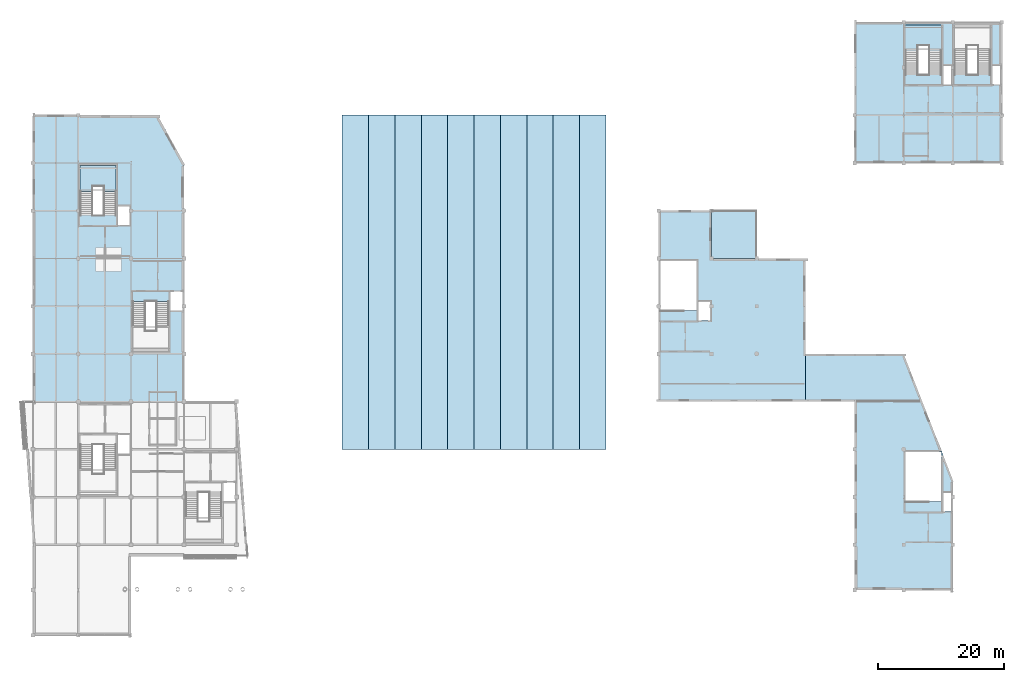
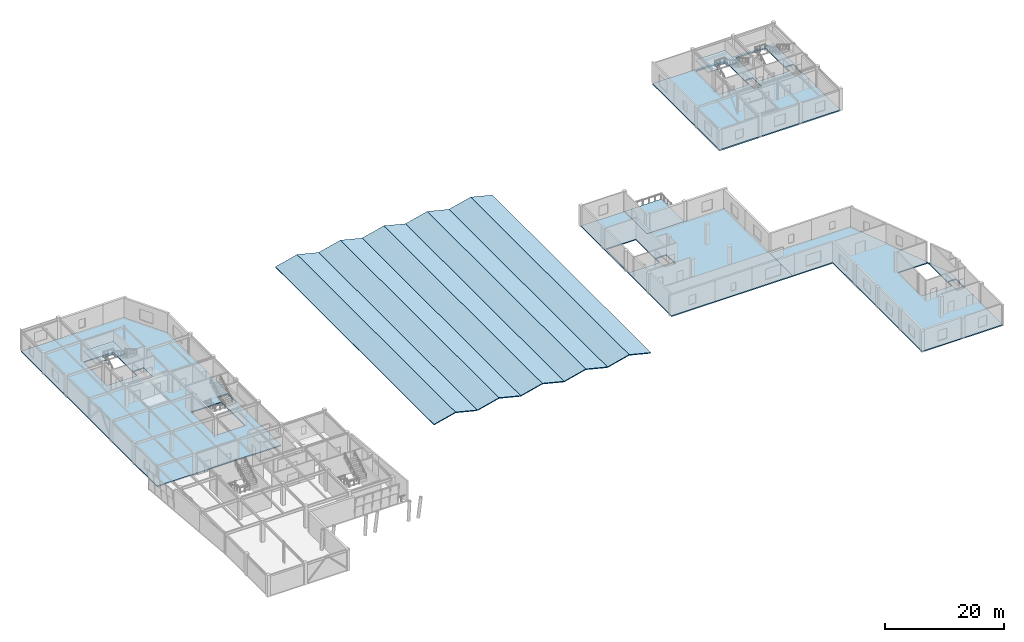
# One storey, part 13 of 28: 17 slabs, 2 elements without a shape of their own.
"""IFC4 building model written with IfcOpenShell, lengths in metres."""

from ifc_helpers import new_model, si_unit, direction, frame, origin, place, context, subcontext, project, spatial, polyline, outline, extrude, material, layer, layer_set, type_object, element, aggregate, save


model = new_model("IFC4")

# Units and contexts
model_context = context("Model", 3, precision=1e-05, world=origin(), true_north=direction((0.0, 1.0)))
body_context = subcontext(model_context, "Body", "Model", "MODEL_VIEW")
ifc_project = project(units=[si_unit("LENGTHUNIT", "METRE"), si_unit("AREAUNIT", "SQUARE_METRE"), si_unit("VOLUMEUNIT", "CUBIC_METRE"), si_unit("PLANEANGLEUNIT", "RADIAN"), si_unit("MASSUNIT", "GRAM", prefix="KILO")], contexts=[model_context])

# Site, building, storey
site_placement = place(None, origin())
site = spatial("IfcSite", under=ifc_project, at=site_placement, CompositionType="ELEMENT")
building_placement = place(site_placement, origin())
building = spatial("IfcBuilding", under=site, at=building_placement, Name="Xicomal Pleat Aquarium", CompositionType="ELEMENT")
storey_placement = place(building_placement, frame((0.0, 0.0, 15.300048828125)))
storey = spatial("IfcBuildingStorey", under=building, at=storey_placement, Name="L04", CompositionType="ELEMENT", Elevation=15.300048828125)

# Slabs
ifc_material_1 = material(Name="Concrete C35/45", Category="concrete")
ifc_layer_1 = layer(ifc_material_1, 0.2099609375)
ifc_layer_set_1 = layer_set([ifc_layer_1], Name="Concrete C35/45")
slab_type_1 = type_object("IfcSlabType", Name="SLB-FLR-210", PredefinedType="FLOOR", material=ifc_layer_set_1)
slab_1_placement = place(storey_placement, frame((0.0, 0.0, -0.2099609375)))
element("IfcSlab", 1, at=slab_1_placement, inside=storey, type_object=slab_type_1, Name="L04 structural slab V5", PredefinedType="FLOOR", context=body_context, shape_type="SweptSolid", body=[
    extrude(outline(polyline([(3.0, 38.0), (3.0, 83.60009765625), (22.800048828125, 83.60009765625), (27.0, 76.0), (27.0, 38.0), (3.0, 38.0)]), holes=[polyline([(10.43994140625, 67.679931640625), (16.219970703125, 67.679931640625), (16.219970703125, 75.60009765625), (10.43994140625, 75.60009765625), (10.43994140625, 67.679931640625)]), polyline([(16.360107421875, 66.10009765625), (18.39990234375, 66.10009765625), (18.39990234375, 69.10009765625), (16.360107421875, 69.10009765625), (16.360107421875, 66.10009765625)]), polyline([(18.840087890625, 46.0), (24.6201171875, 46.0), (24.6201171875, 53.919921875), (18.840087890625, 53.919921875), (18.840087890625, 46.0)]), polyline([(24.760009765625, 52.5), (26.800048828125, 52.5), (26.800048828125, 55.5), (24.760009765625, 55.5), (24.760009765625, 52.5)])]), origin(), (0.0, 0.0, 1.0), 0.2099609375),
])
ifc_material_2 = material(Name="Concrete C35/45", Category="concrete")
ifc_layer_2 = layer(ifc_material_2, 0.22509765625)
ifc_layer_set_2 = layer_set([ifc_layer_2], Name="Concrete C35/45")
slab_type_2 = type_object("IfcSlabType", Name="SLB-FLR-225", PredefinedType="FLOOR", material=ifc_layer_set_2)
slab_2_placement = place(storey_placement, frame((0.0, 0.0, -0.22509765625)))
element("IfcSlab", 2, at=slab_2_placement, inside=storey, type_object=slab_type_2, Name="L04 structural slab V4", PredefinedType="FLOOR", context=body_context, shape_type="SweptSolid", body=[
    extrude(outline(polyline([(102.60009765625, 68.39990234375), (111.0, 68.39990234375), (111.0, 60.800048828125), (126.0, 60.800048828125), (126.0, 38.0), (102.60009765625, 38.0), (102.60009765625, 68.39990234375)]), holes=[polyline([(102.840087890625, 52.47998046875), (108.6201171875, 52.47998046875), (108.6201171875, 60.39990234375), (102.840087890625, 60.39990234375), (102.840087890625, 52.47998046875)]), polyline([(108.760009765625, 50.89990234375), (110.800048828125, 50.89990234375), (110.800048828125, 53.89990234375), (108.760009765625, 53.89990234375), (108.760009765625, 50.89990234375)])]), origin(), (0.0, 0.0, 1.0), 0.22509765625),
])
slab_3_placement = place(storey_placement, frame((0.0, 0.0, -0.22509765625)))
element("IfcSlab", 3, at=slab_3_placement, inside=storey, type_object=slab_type_2, Name="L04 structural slab V3", PredefinedType="FLOOR", context=body_context, shape_type="SweptSolid", body=[
    extrude(outline(polyline([(141.60009765625, 45.60009765625), (149.39990234375, 25.60009765625), (149.39990234375, 8.0), (133.800048828125, 8.0), (133.800048828125, 38.0), (126.0, 38.0), (126.0, 45.60009765625), (141.60009765625, 45.60009765625)]), holes=[polyline([(141.840087890625, 22.080078125), (147.6201171875, 22.080078125), (147.6201171875, 30.0), (141.840087890625, 30.0), (141.840087890625, 22.080078125)]), polyline([(147.760009765625, 20.5), (149.199951171875, 20.5), (149.199951171875, 23.5), (147.760009765625, 23.5), (147.760009765625, 20.5)])]), origin(), (0.0, 0.0, 1.0), 0.22509765625),
])
ifc_material_3 = material(Name="Concrete C40/50", Category="concrete")
ifc_layer_3 = layer(ifc_material_3, 0.260009765625)
ifc_layer_set_3 = layer_set([ifc_layer_3], Name="Concrete C40/50")
slab_type_3 = type_object("IfcSlabType", Name="SLB-FLR-260", PredefinedType="FLOOR", material=ifc_layer_set_3)
slab_4_placement = place(storey_placement, frame((0.0, 0.0, -0.260009765625)))
element("IfcSlab", 4, at=slab_4_placement, inside=storey, type_object=slab_type_3, Name="L04 structural slab V7", PredefinedType="FLOOR", context=body_context, shape_type="SweptSolid", body=[
    extrude(outline(polyline([(133.800048828125, 98.39990234375), (157.199951171875, 98.39990234375), (157.199951171875, 76.0), (133.800048828125, 76.0), (133.800048828125, 98.39990234375)]), holes=[polyline([(141.840087890625, 90.080078125), (147.6201171875, 90.080078125), (147.6201171875, 98.0), (141.840087890625, 98.0), (141.840087890625, 90.080078125)]), polyline([(147.760009765625, 88.5), (149.199951171875, 88.5), (149.199951171875, 91.5), (147.760009765625, 91.5), (147.760009765625, 88.5)]), polyline([(149.639892578125, 90.080078125), (155.419921875, 90.080078125), (155.419921875, 98.0), (149.639892578125, 98.0), (149.639892578125, 90.080078125)]), polyline([(155.56005859375, 88.5), (157.0, 88.5), (157.0, 91.5), (155.56005859375, 91.5), (155.56005859375, 88.5)])]), origin(), (0.0, 0.0, 1.0), 0.260009765625),
])

# Stair, slab
ifc_material_4 = material(Name="Concrete C35/45", Category="concrete")
stair_type = type_object("IfcStairType", Name="STR-HT-4500-2200", PredefinedType="HALF_TURN_STAIR", material=ifc_material_4)
stair_1_placement = place(storey_placement, origin())
stair_1 = element("IfcStair", 5, at=stair_1_placement, inside=storey, type_object=stair_type, Name="ST-03 fire exit stair L04 to L05", PredefinedType="HALF_TURN_STAIR")
ifc_material_5 = material(Name="Concrete C35/45", Category="concrete")
ifc_layer_4 = layer(ifc_material_5, 0.195068359375)
ifc_layer_set_4 = layer_set([ifc_layer_4], Name="Concrete C35/45")
slab_type_4 = type_object("IfcSlabType", Name="SLB-LND-195", PredefinedType="LANDING", material=ifc_layer_set_4)
slab_5_placement = place(storey_placement, frame((0.0, 0.0, 2.054931640625)))
slab_5 = element("IfcSlab", 6, at=slab_5_placement, type_object=slab_type_4, Name="ST-03 landing 1", PredefinedType="LANDING", context=body_context, shape_type="SweptSolid", body=[
    extrude(outline(polyline([(10.43994140625, 75.60009765625), (16.219970703125, 75.60009765625), (16.219970703125, 71.424072265625), (14.219970703125, 71.424072265625), (14.219970703125, 72.333984375), (12.43994140625, 72.333984375), (12.43994140625, 71.424072265625), (10.43994140625, 71.424072265625), (10.43994140625, 75.60009765625)])), origin(), (0.0, 0.0, 1.0), 0.195068359375),
])
aggregate(stair_1, [slab_5])

stair_2_placement = place(storey_placement, origin())
stair_2 = element("IfcStair", 7, at=stair_2_placement, inside=storey, type_object=stair_type, Name="ST-05 fire exit stair L04 to L05", PredefinedType="HALF_TURN_STAIR")
slab_6_placement = place(storey_placement, frame((0.0, 0.0, 2.054931640625)))
slab_6 = element("IfcSlab", 8, at=slab_6_placement, type_object=slab_type_4, Name="ST-05 landing 1", PredefinedType="LANDING", context=body_context, shape_type="SweptSolid", body=[
    extrude(outline(polyline([(141.840087890625, 98.0), (147.6201171875, 98.0), (147.6201171875, 93.823974609375), (145.6201171875, 93.823974609375), (145.6201171875, 94.73388671875), (143.840087890625, 94.73388671875), (143.840087890625, 93.823974609375), (141.840087890625, 93.823974609375), (141.840087890625, 98.0)])), origin(), (0.0, 0.0, 1.0), 0.195068359375),
])
aggregate(stair_2, [slab_6])

# Slabs
ifc_material_6 = material(Name="Concrete C45/55", Category="concrete")
ifc_layer_5 = layer(ifc_material_6, 0.175048828125)
ifc_layer_set_5 = layer_set([ifc_layer_5], Name="Concrete C45/55")
slab_type_5 = type_object("IfcSlabType", Name="SLB-SHELL-175", PredefinedType="ROOF", material=ifc_layer_set_5)
slab_7_placement = place(storey_placement, frame((52.199951171875, 30.39990234375, 0.0), z_axis=(-0.241858722569, 0.0, 0.970311474897), x_axis=(0.970311474897, 0.0, 0.241858722569)))
element("IfcSlab", 9, at=slab_7_placement, inside=storey, type_object=slab_type_5, Name="Ocean tank thin concrete shell roof facet 1W", PredefinedType="ROOF", context=body_context, shape_type="SweptSolid", body=[
    extrude(outline(polyline([(0.0, 0.0), (4.328456666267918, 0.0), (4.328456666267918, 53.2001953125), (0.0, 53.2001953125), (0.0, 0.0)])), origin(), (0.0, 0.0, -1.0), 0.175048828125),
])
slab_8_placement = place(storey_placement, frame((56.39990234375, 30.39990234375, 1.046875), z_axis=(0.241845486566, 0.0, 0.970314773992), x_axis=(0.970314773992, 0.0, -0.241845486566)))
element("IfcSlab", 10, at=slab_8_placement, inside=storey, type_object=slab_type_5, Name="Ocean tank thin concrete shell roof facet 1E", PredefinedType="ROOF", context=body_context, shape_type="SweptSolid", body=[
    extrude(outline(polyline([(0.0, 0.0), (4.328693559120578, 0.0), (4.328693559120578, 53.2001953125), (0.0, 53.2001953125), (0.0, 0.0)])), origin(), (0.0, 0.0, -1.0), 0.175048828125),
])
for number, where, z_axis, x_axis, name in (
    (11, (60.60009765625, 30.39990234375, 0.0), (-0.241858722569, 0.0, 0.970311474897), (0.970311474897, 0.0, 0.241858722569), "Ocean tank thin concrete shell roof facet 2W"),
    (12, (64.800048828125, 30.39990234375, 1.046875), (0.241858722569, 0.0, 0.970311474897), (0.970311474897, 0.0, -0.241858722569), "Ocean tank thin concrete shell roof facet 2E"),
    (13, (69.0, 30.39990234375, 0.0), (-0.241858722569, 0.0, 0.970311474897), (0.970311474897, 0.0, 0.241858722569), "Ocean tank thin concrete shell roof facet 3W"),
    (14, (73.199951171875, 30.39990234375, 1.046875), (0.241858722569, 0.0, 0.970311474897), (0.970311474897, 0.0, -0.241858722569), "Ocean tank thin concrete shell roof facet 3E"),
):
    element("IfcSlab", number, at=place(storey_placement, frame(where, z_axis=z_axis, x_axis=x_axis)), inside=storey, type_object=slab_type_5, Name=name, PredefinedType="ROOF", context=body_context, shape_type="SweptSolid", body=[
        extrude(outline(polyline([(0.0, 0.0), (4.328456666267918, 0.0), (4.328456666267918, 53.2001953125), (0.0, 53.2001953125), (0.0, 0.0)])), origin(), (0.0, 0.0, -1.0), 0.175048828125),
    ])
slab_9_placement = place(storey_placement, frame((77.39990234375, 30.39990234375, 0.0), z_axis=(-0.241845486566, 0.0, 0.970314773992), x_axis=(0.970314773992, 0.0, 0.241845486566)))
element("IfcSlab", 15, at=slab_9_placement, inside=storey, type_object=slab_type_5, Name="Ocean tank thin concrete shell roof facet 4W", PredefinedType="ROOF", context=body_context, shape_type="SweptSolid", body=[
    extrude(outline(polyline([(0.0, 0.0), (4.328693559120578, 0.0), (4.328693559120578, 53.2001953125), (0.0, 53.2001953125), (0.0, 0.0)])), origin(), (0.0, 0.0, -1.0), 0.175048828125),
])
for number, where, z_axis, x_axis, name in (
    (16, (81.60009765625, 30.39990234375, 1.046875), (0.241858722569, 0.0, 0.970311474897), (0.970311474897, 0.0, -0.241858722569), "Ocean tank thin concrete shell roof facet 4E"),
    (17, (85.800048828125, 30.39990234375, 0.0), (-0.241858722569, 0.0, 0.970311474897), (0.970311474897, 0.0, 0.241858722569), "Ocean tank thin concrete shell roof facet 5W"),
    (18, (90.0, 30.39990234375, 1.046875), (0.241858722569, 0.0, 0.970311474897), (0.970311474897, 0.0, -0.241858722569), "Ocean tank thin concrete shell roof facet 5E"),
):
    element("IfcSlab", number, at=place(storey_placement, frame(where, z_axis=z_axis, x_axis=x_axis)), inside=storey, type_object=slab_type_5, Name=name, PredefinedType="ROOF", context=body_context, shape_type="SweptSolid", body=[
        extrude(outline(polyline([(0.0, 0.0), (4.328456666267918, 0.0), (4.328456666267918, 53.2001953125), (0.0, 53.2001953125), (0.0, 0.0)])), origin(), (0.0, 0.0, -1.0), 0.175048828125),
    ])
ifc_material_7 = material(Name="Concrete C40/50", Category="concrete")
ifc_layer_6 = layer(ifc_material_7, 0.18505859375)
ifc_layer_set_6 = layer_set([ifc_layer_6], Name="Concrete C40/50")
slab_type_6 = type_object("IfcSlabType", Name="SLB-TER-185", PredefinedType="FLOOR", material=ifc_layer_set_6)
slab_10_placement = place(storey_placement, frame((0.0, 0.0, -0.18994140625)))
element("IfcSlab", 19, at=slab_10_placement, inside=storey, type_object=slab_type_6, Name="L04 outdoor planted court terrace TR-L04-E", PredefinedType="FLOOR", context=body_context, shape_type="SweptSolid", body=[
    extrude(outline(polyline([(111.0, 60.800048828125), (111.0, 68.39990234375), (118.199951171875, 68.39990234375), (118.199951171875, 60.800048828125), (111.0, 60.800048828125)])), origin(), (0.0, 0.0, 1.0), 0.18994140625),
])

save(model, "model.ifc")
